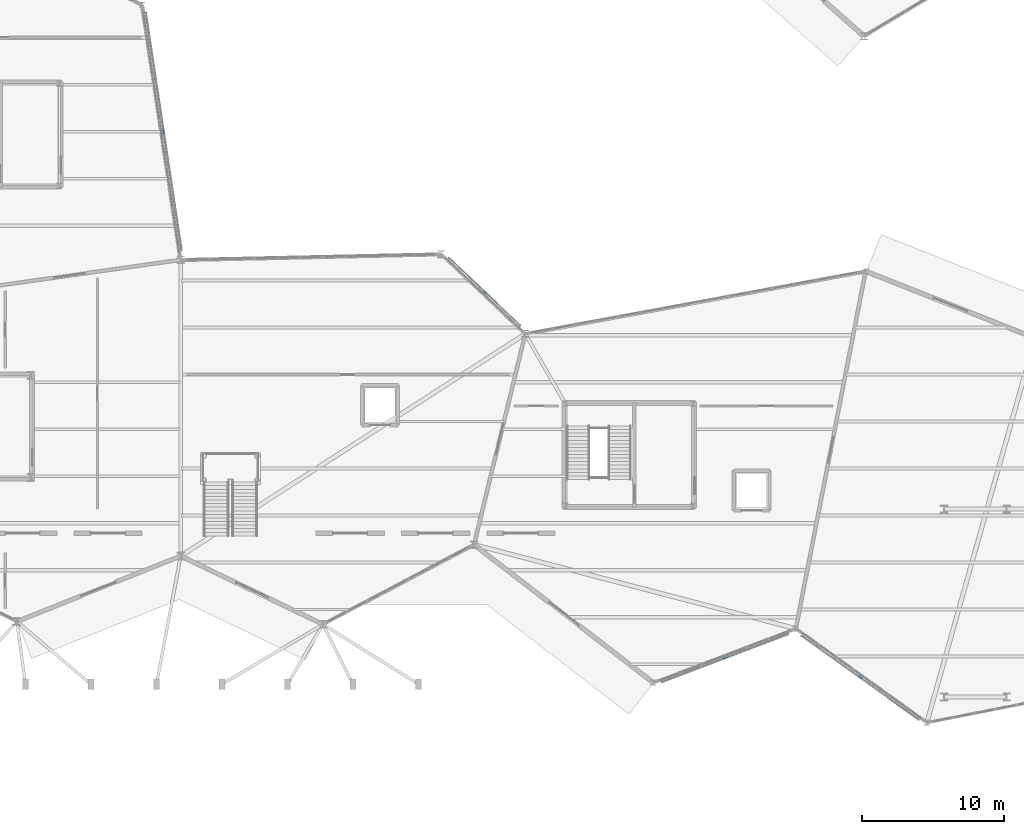
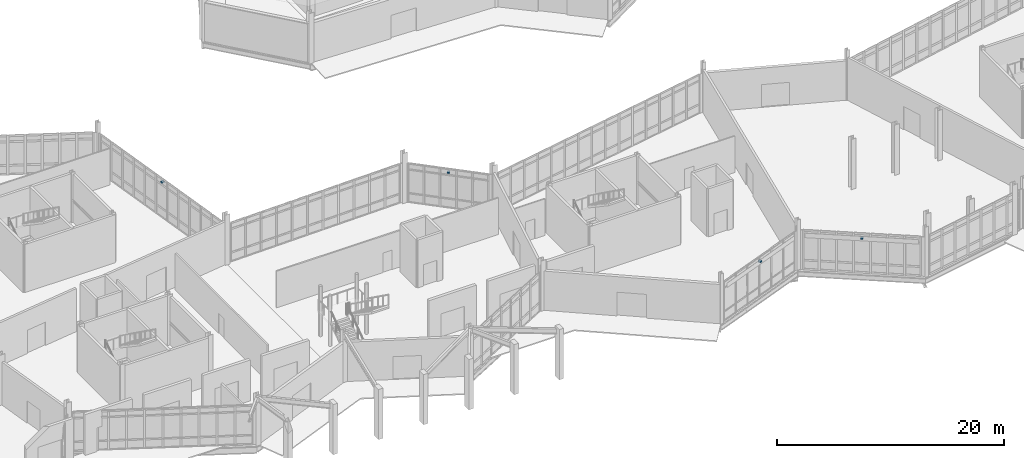
# One storey, part 104 of 113: 4 discrete accessories.
"""IFC4 building model written with IfcOpenShell, lengths in metres."""

import ifcopenshell
import ifcopenshell.guid

model = None  # the IFC model being written
_history = None  # IfcOwnerHistory: only IFC2X3 demands one
_inside = {}  # id of a spatial element -> (the spatial element, [elements in it])
_under = {}  # id of a project, library or spatial element -> (it, [spatial elements below it])
_declared = {}  # id of a project -> (the project, [libraries it declares])
_typed = {}  # id of a type object -> (the type object, [elements of that type])
_made_of = {}  # id of a material, layer set ... -> (it, [elements and type objects made of it])


def new_model(schema):
    """Start an empty IFC model of exactly this schema.

    Asked for "IFC4X3", IfcOpenShell would pick the latest addendum, in which some entities
    have other attributes; the version numbers below select the first issue.
    IFC2X3 requires an IfcOwnerHistory on every rooted entity: one is made here for all.
    """
    global model, _history
    if schema == "IFC4X3":
        model = ifcopenshell.file(schema_version=(4, 3, 0, 0))
    else:
        model = ifcopenshell.file(schema=schema)
    _inside.clear()
    _under.clear()
    _declared.clear()
    _typed.clear()
    _made_of.clear()
    _history = None
    if model.schema == "IFC2X3":
        org = make("IfcOrganization", Name="unknown")
        user = make(
            "IfcPersonAndOrganization",
            ThePerson=make("IfcPerson", FamilyName="unknown"),
            TheOrganization=org,
        )
        app = make(
            "IfcApplication",
            ApplicationDeveloper=org,
            Version="unknown",
            ApplicationFullName="unknown",
            ApplicationIdentifier="unknown",
        )
        _history = make(
            "IfcOwnerHistory",
            OwningUser=user,
            OwningApplication=app,
            ChangeAction="ADDED",
            CreationDate=0,
        )
    return model


def make(cls, **values):
    """One entity of the class cls with the attributes given. An attribute that is None is left unset."""
    return model.create_entity(
        cls, **{name: value for name, value in values.items() if value is not None}
    )


def rooted(cls, **values):
    """An entity with a GlobalId (a new one), such as an element, a storey or a relation."""
    return make(cls, GlobalId=ifcopenshell.guid.new(), OwnerHistory=_history, **values)


def si_unit(unit_type, name, prefix=None):
    """IfcSIUnit, for example si_unit("LENGTHUNIT", "METRE", prefix="MILLI")."""
    return make("IfcSIUnit", UnitType=unit_type, Prefix=prefix, Name=name)


def assignment(units):
    """IfcUnitAssignment: the units of a project."""
    return None if units is None else make("IfcUnitAssignment", Units=units)


def point(xyz):
    """IfcCartesianPoint."""
    return None if xyz is None else make("IfcCartesianPoint", Coordinates=xyz)


def direction(xyz):
    """IfcDirection."""
    return None if xyz is None else make("IfcDirection", DirectionRatios=xyz)


def frame(location, z_axis=None, x_axis=None):
    """IfcAxis2Placement3D, a coordinate frame: its origin and axes. An axis left out is left unset."""
    return make(
        "IfcAxis2Placement3D",
        Location=point(location),
        Axis=direction(z_axis),
        RefDirection=direction(x_axis),
    )


def frame_2d(location, x_axis=None):
    """IfcAxis2Placement2D, a coordinate frame in the plane: its origin and x axis."""
    return make(
        "IfcAxis2Placement2D", Location=point(location), RefDirection=direction(x_axis)
    )


def origin():
    """The frame at (0, 0, 0) with its axes left unset."""
    return frame((0.0, 0.0, 0.0))


def origin_2d():
    """The frame at (0, 0) in the plane with its x axis left unset."""
    return frame_2d((0.0, 0.0))


def place(relative_to, where):
    """IfcLocalPlacement: puts the frame where relative to a parent placement (None: the world)."""
    return make(
        "IfcLocalPlacement", PlacementRelTo=relative_to, RelativePlacement=where
    )


def context(
    kind, dimensions, precision=None, world=None, true_north=None, identifier=None
):
    """IfcGeometricRepresentationContext, for example the 3D "Model" context."""
    return make(
        "IfcGeometricRepresentationContext",
        ContextIdentifier=identifier,
        ContextType=kind,
        CoordinateSpaceDimension=dimensions,
        Precision=precision,
        WorldCoordinateSystem=world,
        TrueNorth=true_north,
    )


def subcontext(parent, identifier, kind, view, scale=None):
    """IfcGeometricRepresentationSubContext, for example "Body" below "Model"."""
    return make(
        "IfcGeometricRepresentationSubContext",
        ContextIdentifier=identifier,
        ContextType=kind,
        ParentContext=parent,
        TargetScale=scale,
        TargetView=view,
    )


def project(units=None, contexts=None):
    """IfcProject with its units and contexts."""
    return rooted(
        "IfcProject",
        Name="project",
        RepresentationContexts=contexts,
        UnitsInContext=assignment(units),
    )


def spatial(cls, under=None, at=None, **own):
    """A site, building, storey or space (cls), placed at a placement, below another one or the project."""
    s = rooted(cls, ObjectPlacement=at, **own)
    if under is not None:
        _under.setdefault(under.id(), (under, []))[1].append(s)
    return s


def profile(cls, at=None, kind="AREA", **sizes):
    """A parametric profile (cls). Its sizes go by their IFC names, for example OverallWidth=200.0."""
    return make(cls, ProfileType=kind, Position=at, **sizes)


def rectangle(**sizes):
    """IfcRectangleProfileDef."""
    return profile("IfcRectangleProfileDef", **sizes)


def extrude(swept, where, along, depth):
    """IfcExtrudedAreaSolid: the profile swept, set in the frame where, extruded along a direction by depth."""
    return make(
        "IfcExtrudedAreaSolid",
        SweptArea=swept,
        Position=where,
        ExtrudedDirection=direction(along),
        Depth=depth,
    )


def shape(context_of_items, identifier, shape_type, items):
    """IfcShapeRepresentation: the items that make up one representation, for example the "Body"."""
    return make(
        "IfcShapeRepresentation",
        ContextOfItems=context_of_items,
        RepresentationIdentifier=identifier,
        RepresentationType=shape_type,
        Items=items,
    )


def material(Name=None, Category=None):
    """IfcMaterial."""
    return make("IfcMaterial", Name=Name, Category=Category)


def made_of(thing, what):
    """Note that an element or type object is made of a material, layer set ...; save() writes the relation."""
    if what is not None:
        _made_of.setdefault(what.id(), (what, []))[1].append(thing)
    return thing


def type_object(cls, material=None, **own):
    """A type object (cls), such as IfcWallType, which elements share."""
    return made_of(rooted(cls, **own), material)


def element(
    cls,
    number,
    at=None,
    inside=None,
    cuts=None,
    type_object=None,
    material=None,
    context=None,
    identifier="Body",
    shape_type=None,
    held_by="IfcProductDefinitionShape",
    body=None,
    shapes=None,
    **own,
):
    """One element of the class cls, such as IfcWall. Its Tag is "e" and its number.

    at: its placement. inside: the storey or other place that contains it. cuts: it is an
    opening in that element (IfcRelVoidsElement). A single representation is given by context,
    identifier, shape_type and body (its items); several are given by shapes. held_by: the class
    of the entity that holds the representations. save() writes the other relations.
    """
    e = rooted(cls, Tag="e%d" % number, ObjectPlacement=at, **own)
    if body is not None:
        shapes = [shape(context, identifier, shape_type, body)]
    if shapes is not None:
        e.Representation = make(held_by, Representations=shapes)
    if inside is not None:
        _inside.setdefault(inside.id(), (inside, []))[1].append(e)
    if cuts is not None:
        rooted(
            "IfcRelVoidsElement", RelatingBuildingElement=cuts, RelatedOpeningElement=e
        )
    if type_object is not None:
        _typed.setdefault(type_object.id(), (type_object, []))[1].append(e)
    return made_of(e, material)


def aggregate(whole, parts):
    """IfcRelAggregates: a whole, such as a stair, and the parts it consists of."""
    return rooted("IfcRelAggregates", RelatingObject=whole, RelatedObjects=parts)


def save(model, path):
    """Write the relations noted so far, then the file.

    IfcRelAggregates (storeys below a building ...), IfcRelContainedInSpatialStructure (elements
    in a storey), IfcRelDefinesByType, IfcRelAssociatesMaterial and IfcRelDeclares: one each for
    every whole, place, type object, material and project.
    """
    for whole, parts in _under.values():
        aggregate(whole, parts)
    for where, things in _inside.values():
        rooted(
            "IfcRelContainedInSpatialStructure",
            RelatedElements=things,
            RelatingStructure=where,
        )
    for kind, things in _typed.values():
        rooted("IfcRelDefinesByType", RelatedObjects=things, RelatingType=kind)
    for what, things in _made_of.values():
        rooted("IfcRelAssociatesMaterial", RelatedObjects=things, RelatingMaterial=what)
    for by, libraries in _declared.values():
        rooted("IfcRelDeclares", RelatingContext=by, RelatedDefinitions=libraries)
    model.write(path)


model = new_model("IFC4")

# Units and contexts
model_context = context("Model", 3, precision=1e-05, world=origin(), true_north=direction((0.0, 1.0)))
body_context = subcontext(model_context, "Body", "Model", "MODEL_VIEW")
ifc_project = project(units=[si_unit("LENGTHUNIT", "METRE"), si_unit("AREAUNIT", "SQUARE_METRE"), si_unit("VOLUMEUNIT", "CUBIC_METRE"), si_unit("PLANEANGLEUNIT", "RADIAN"), si_unit("MASSUNIT", "GRAM", prefix="KILO")], contexts=[model_context])

# Site, building, storey
site_placement = place(None, origin())
site = spatial("IfcSite", under=ifc_project, at=site_placement, CompositionType="ELEMENT")
building_placement = place(site_placement, origin())
building = spatial("IfcBuilding", under=site, at=building_placement, Name="Tameran Prism Museum", CompositionType="ELEMENT")
storey_placement = place(building_placement, origin())
storey = spatial("IfcBuildingStorey", under=building, at=storey_placement, Name="L00", CompositionType="ELEMENT", Elevation=0.0)

# Discrete accessories
ifc_material = material(Name="Galvanized Steel Grade 350 (350 MPa)", Category="steel")
discrete_accessory_type = type_object("IfcDiscreteAccessoryType", Name="DA-BRK-STL", PredefinedType="BRACKET", material=ifc_material)
for number, where, z_axis, x_axis, name in (
    (1, (98.782958984375, 45.8779296875, 3.68994140625), (0.0, 0.0, 1.0), (0.725374371012, -0.688354575694, 0.0), "Facade Sunshade Bracket BK-006"),
    (2, (76.22412109375, 57.19189453125, 3.68994140625), (0.0, 0.0, 1.0), (0.149190193254, -0.988808518489, 0.0), "Facade Sunshade Bracket BK-007"),
    (3, (115.699951171875, 20.31396484375, 3.68994140625), (0.0, 0.0, 1.0), (-0.934763684301, -0.355270114859, 0.0), "Facade Sunshade Bracket BK-008"),
    (4, (125.278076171875, 18.91796875, 3.68994140625), (0.0, 0.0, 1.0), (-0.812490717577, 0.582974127943, 0.0), "Facade Sunshade Bracket BK-009"),
):
    element("IfcDiscreteAccessory", number, at=place(storey_placement, frame(where, z_axis=z_axis, x_axis=x_axis)), inside=storey, type_object=discrete_accessory_type, Name=name, PredefinedType="BRACKET", context=body_context, shape_type="SweptSolid", body=[
        extrude(rectangle(XDim=0.239990234375, YDim=0.239990234375, at=origin_2d()), origin(), (0.0, 0.0, 1.0), 0.159912109375),
    ])

save(model, "model.ifc")
